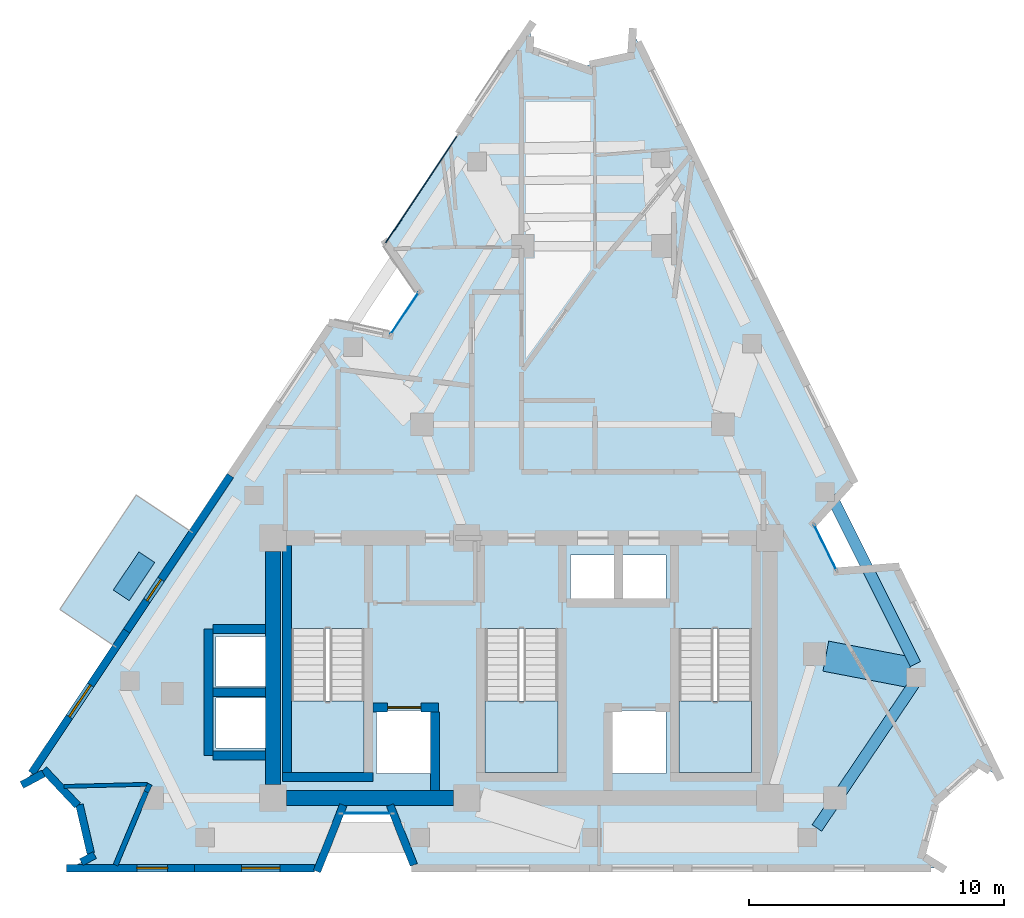
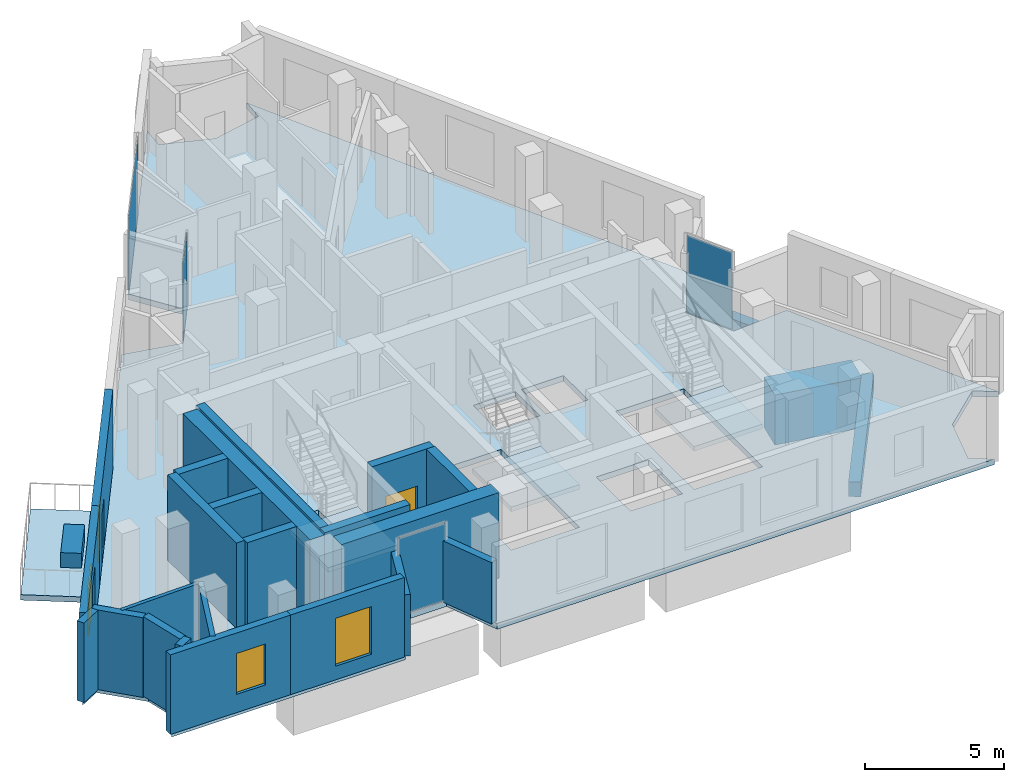
# One storey, part 4 of 10: 23 walls, 5 plates, 5 slabs, 3 beams, 3 windows, 2 doors, 5 openings, 7 elements without a shape of their own.
"""IFC4 building model written with IfcOpenShell, lengths in metres."""

from ifc_helpers import new_model, si_unit, direction, frame, frame_2d, origin, origin_2d, place, context, subcontext, project, spatial, polyline, rectangle, outline, extrude, material, layer, layer_set, material_profile, profile_set, type_object, element, fill, aggregate, save


model = new_model("IFC4")

# Units and contexts
model_context = context("Model", 3, precision=1e-05, world=origin(), true_north=direction((0.0, 1.0)))
body_context = subcontext(model_context, "Body", "Model", "MODEL_VIEW")
ifc_project = project(units=[si_unit("LENGTHUNIT", "METRE"), si_unit("AREAUNIT", "SQUARE_METRE"), si_unit("VOLUMEUNIT", "CUBIC_METRE"), si_unit("PLANEANGLEUNIT", "RADIAN"), si_unit("MASSUNIT", "GRAM", prefix="KILO")], contexts=[model_context])

# Site, building, storey
site_placement = place(None, origin())
site = spatial("IfcSite", under=ifc_project, at=site_placement, CompositionType="ELEMENT")
building_placement = place(site_placement, origin())
building = spatial("IfcBuilding", under=site, at=building_placement, Name="Almagre Mirador Tower", CompositionType="ELEMENT")
storey_placement = place(building_placement, frame((0.0, 0.0, 270.75)))
storey = spatial("IfcBuildingStorey", under=building, at=storey_placement, Name="L70", CompositionType="ELEMENT", Elevation=270.75)

# Beams
ifc_material_1 = material(Name="Precast concrete C50/60", Category="concrete")
ifc_material_profile_1 = material_profile(ifc_material_1, rectangle(XDim=0.449951171875, YDim=0.64990234375, at=origin_2d()), Name="RC450X650")
ifc_profile_set_1 = profile_set([ifc_material_profile_1], Name="Precast concrete C50/60")
beam_type_1 = type_object("IfcBeamType", Name="BM-SPN-RC450X650", PredefinedType="SPANDREL", material=ifc_profile_set_1)
beam_1_placement = place(storey_placement, frame((48.8916015625, 3.373046875, -0.574951171875), z_axis=(0.559011807763, 0.829159694378, 0.0), x_axis=(-0.829159694378, 0.559011807763, 0.0)))
element("IfcBeam", 1, at=beam_1_placement, inside=storey, type_object=beam_type_1, Name="L70 perimeter spandrel beam PC04-PC05", PredefinedType="SPANDREL", context=body_context, shape_type="SweptSolid", body=[
    extrude(rectangle(XDim=0.449951171875, YDim=0.64990234375, at=origin_2d()), origin(), (0.0, 0.0, 1.0), 6.822265625),
])
beam_2_placement = place(storey_placement, frame((52.755859375, 9.805419921875, -0.574951171875), z_axis=(-0.447226839749, 0.894420568753, 0.0), x_axis=(-0.894420568753, -0.447226839749, 0.0)))
element("IfcBeam", 2, at=beam_2_placement, inside=storey, type_object=beam_type_1, Name="L70 perimeter spandrel beam PC05-PC06", PredefinedType="SPANDREL", context=body_context, shape_type="SweptSolid", body=[
    extrude(rectangle(XDim=0.449951171875, YDim=0.64990234375, at=origin_2d()), origin(), (0.0, 0.0, 1.0), 7.37353515625),
])
ifc_material_2 = material(Name="Concrete C60/75", Category="concrete")
ifc_material_profile_2 = material_profile(ifc_material_2, rectangle(XDim=1.199951171875, YDim=2.199951171875, at=origin_2d()), Name="RC1200X2200")
ifc_profile_set_2 = profile_set([ifc_material_profile_2], Name="Concrete C60/75")
beam_type_2 = type_object("IfcBeamType", Name="BM-XFER-RC1200X2200", PredefinedType="BEAM", material=ifc_profile_set_2)
beam_3_placement = place(storey_placement, frame((52.514892578125, 9.48779296875, -1.35009765625), z_axis=(-0.982116013596, 0.188276753315, 0.0), x_axis=(-0.188276753315, -0.982116013596, 0.0)))
element("IfcBeam", 3, at=beam_3_placement, inside=storey, type_object=beam_type_2, Name="L70 radial transfer girder PC05-MC3", PredefinedType="BEAM", context=body_context, shape_type="SweptSolid", body=[
    extrude(rectangle(XDim=1.199951171875, YDim=2.199951171875, at=origin_2d()), origin(), (0.0, 0.0, 1.0), 3.33251953125),
])

# Curtain wall, plate
ifc_material_3 = material(Name="Black anodized aluminium", Category="aluminium")
ifc_layer_1 = layer(ifc_material_3, 0.169921875)
ifc_layer_set_1 = layer_set([ifc_layer_1], Name="Black anodized aluminium")
curtain_wall_type_1 = type_object("IfcCurtainWallType", Name="CW-CRS-SYS", PredefinedType="NOTDEFINED", material=ifc_layer_set_1)
curtain_wall_1_placement = place(storey_placement, origin())
curtain_wall_1 = element("IfcCurtainWall", 4, at=curtain_wall_1_placement, inside=storey, type_object=curtain_wall_type_1, Name="L70 vertical crease curtain wall 01", PredefinedType="NOTDEFINED")
ifc_material_4 = material(Name="Dark solar-control laminated hurricane glass", Category="glass")
ifc_layer_2 = layer(ifc_material_4, 0.028076171875)
ifc_layer_set_2 = layer_set([ifc_layer_2], Name="Dark solar-control laminated hurricane glass")
plate_type_1 = type_object("IfcPlateType", Name="PLT-GLZ-28", PredefinedType="CURTAIN_PANEL", material=ifc_layer_set_2)
plate_1_placement = place(storey_placement, frame((32.715576171875, 23.56591796875, 0.06005859375), z_axis=(0.0, 0.0, 1.0), x_axis=(0.555472827093, 0.83153468861, 0.0)))
plate_1 = element("IfcPlate", 5, at=plate_1_placement, type_object=plate_type_1, Name="CW-4 panel 1.1", PredefinedType="CURTAIN_PANEL", context=body_context, shape_type="SweptSolid", body=[
    extrude(rectangle(XDim=1.97021484375, YDim=0.028076171875, at=origin_2d()), origin(), (0.0, 0.0, 1.0), 3.3798828125),
])
aggregate(curtain_wall_1, [plate_1])

curtain_wall_2_placement = place(storey_placement, origin())
curtain_wall_2 = element("IfcCurtainWall", 6, at=curtain_wall_2_placement, inside=storey, type_object=curtain_wall_type_1, Name="L70 vertical crease curtain wall 03", PredefinedType="NOTDEFINED")
plate_2_placement = place(storey_placement, frame((49.219970703125, 14.3759765625, 0.06005859375), z_axis=(0.0, 0.0, 1.0), x_axis=(0.441079666023, -0.897467953869, 0.0)))
plate_2 = element("IfcPlate", 7, at=plate_2_placement, type_object=plate_type_1, Name="CW-4 panel 1.1", PredefinedType="CURTAIN_PANEL", context=body_context, shape_type="SweptSolid", body=[
    extrude(rectangle(XDim=1.97021484375, YDim=0.028076171875, at=origin_2d()), origin(), (0.0, 0.0, 1.0), 3.3798828125),
])
aggregate(curtain_wall_2, [plate_2])

curtain_wall_3_placement = place(storey_placement, origin())
curtain_wall_3 = element("IfcCurtainWall", 8, at=curtain_wall_3_placement, inside=storey, type_object=curtain_wall_type_1, Name="L70 vertical crease curtain wall 04", PredefinedType="NOTDEFINED")
plate_3_placement = place(storey_placement, frame((31.22802734375, 3.949951171875, 0.06005859375), z_axis=(0.0, 0.0, 1.0), x_axis=(-1.0, 0.0, 0.0)))
plate_3 = element("IfcPlate", 9, at=plate_3_placement, type_object=plate_type_1, Name="CW-4 panel 1.1", PredefinedType="CURTAIN_PANEL", context=body_context, shape_type="SweptSolid", body=[
    extrude(rectangle(XDim=1.969970703125, YDim=0.028076171875, at=origin_2d()), origin(), (0.0, 0.0, 1.0), 3.3798828125),
])
aggregate(curtain_wall_3, [plate_3])

ifc_material_5 = material(Name="Black anodized aluminium", Category="aluminium")
ifc_layer_3 = layer(ifc_material_5, 0.199951171875)
ifc_layer_set_3 = layer_set([ifc_layer_3], Name="Black anodized aluminium")
curtain_wall_type_2 = type_object("IfcCurtainWallType", Name="CW-RES-H-SYS", PredefinedType="NOTDEFINED", material=ifc_layer_set_3)
curtain_wall_4_placement = place(storey_placement, origin())
curtain_wall_4 = element("IfcCurtainWall", 10, at=curtain_wall_4_placement, inside=storey, type_object=curtain_wall_type_2, Name="L70 curtain wall run 02", PredefinedType="NOTDEFINED")
ifc_material_6 = material(Name="Dark solar-control laminated hurricane glass", Category="glass")
ifc_layer_4 = layer(ifc_material_6, 0.035888671875)
ifc_layer_set_4 = layer_set([ifc_layer_4], Name="Dark solar-control laminated hurricane glass")
plate_type_2 = type_object("IfcPlateType", Name="PLT-GLZ-36", PredefinedType="CURTAIN_PANEL", material=ifc_layer_set_4)
plate_4_placement = place(storey_placement, frame((33.367431640625, 28.4150390625, 0.06494140625), z_axis=(0.0, 0.0, 1.0), x_axis=(0.555260576939, 0.831676434497, 0.0)))
plate_4 = element("IfcPlate", 11, at=plate_4_placement, type_object=plate_type_2, Name="CW-3 panel 1.1", PredefinedType="CURTAIN_PANEL", context=body_context, shape_type="SweptSolid", body=[
    extrude(rectangle(XDim=5.139892578125, YDim=0.035888671875, at=origin_2d()), origin(), (0.0, 0.0, 1.0), 3.3701171875),
])
aggregate(curtain_wall_4, [plate_4])

# Plate
ifc_material_7 = material(Name="Precast concrete C50/60", Category="concrete")
ifc_layer_5 = layer(ifc_material_7, 0.64990234375)
ifc_layer_set_5 = layer_set([ifc_layer_5], Name="Precast concrete C50/60")
plate_type_3 = type_object("IfcPlateType", Name="PLT-PLANTER-1800", PredefinedType="USERDEFINED", material=ifc_layer_set_5)
plate_5_placement = place(storey_placement, frame((22.10009765625, 13.2470703125, 0.0), z_axis=(0.0, 0.0, 1.0), x_axis=(-0.555221899113, -0.831702256066, 0.0)))
element("IfcPlate", 12, at=plate_5_placement, inside=storey, type_object=plate_type_3, Name="L70 west balcony structural tree planter 1", ObjectType="PLANTER", PredefinedType="USERDEFINED", context=body_context, shape_type="SweptSolid", body=[
    extrude(rectangle(XDim=1.800048828125, YDim=0.75, at=origin_2d()), origin(), (0.0, 0.0, 1.0), 0.64990234375),
])

# Slabs
ifc_material_8 = material(Name="Concrete C45/55", Category="concrete")
ifc_layer_6 = layer(ifc_material_8, 0.239990234375)
ifc_layer_set_6 = layer_set([ifc_layer_6], Name="Concrete C45/55")
slab_type_1 = type_object("IfcSlabType", Name="SLB-BAL-240", PredefinedType="USERDEFINED", material=ifc_layer_set_6)
slab_1_placement = place(storey_placement, frame((0.0, 0.0, -0.239990234375)))
element("IfcSlab", 13, at=slab_1_placement, inside=storey, type_object=slab_type_1, Name="L70 west planted tree balcony 1", ObjectType="BALCONY", PredefinedType="USERDEFINED", context=body_context, shape_type="SweptSolid", body=[
    extrude(outline(polyline([(24.406005859375, 14.955078125), (21.407958984375, 10.462890625), (19.18701171875, 11.946044921875), (22.18505859375, 16.43701171875), (24.406005859375, 14.955078125)])), origin(), (0.0, 0.0, 1.0), 0.239990234375),
])
ifc_material_9 = material(Name="Concrete C45/55", Category="concrete")
ifc_layer_7 = layer(ifc_material_9, 0.25)
ifc_layer_set_7 = layer_set([ifc_layer_7], Name="Concrete C45/55")
slab_type_2 = type_object("IfcSlabType", Name="SLB-FLR-250", PredefinedType="FLOOR", material=ifc_layer_set_7)
slab_2_placement = place(storey_placement, frame((0.0, 0.0, -0.25)))
element("IfcSlab", 14, at=slab_2_placement, inside=storey, type_object=slab_type_2, Name="L70 structural floor slab", PredefinedType="FLOOR", context=body_context, shape_type="SweptSolid", body=[
    extrude(outline(polyline([(17.821044921875, 5.126953125), (18.654052734375, 5.572021484375), (19.990966796875, 4.14794921875), (20.43310546875, 2.24609375), (19.60009765625, 1.800048828125), (29.327880859375, 1.800048828125), (30.18310546875, 3.949951171875), (32.27294921875, 3.949951171875), (33.1279296875, 1.800048828125), (53.800048828125, 1.800048828125), (52.998046875, 2.299072265625), (53.572021484375, 4.431884765625), (55.23291015625, 5.888916015625), (56.034912109375, 5.388916015625), (51.988037109375, 13.6201171875), (49.680908203125, 13.43798828125), (48.759033203125, 15.31396484375), (50.31103515625, 17.030029296875), (41.6650390625, 34.611083984375), (41.60302734375, 33.66796875), (39.572998046875, 33.23095703125), (37.616943359375, 33.929931640625), (37.678955078125, 34.873046875), (31.98193359375, 26.340087890625), (33.2958984375, 24.43505859375), (32.135009765625, 22.697021484375), (29.8720703125, 23.178955078125), (17.821044921875, 5.126953125)]), holes=[polyline([(43.47509765625, 5.550048828125), (43.47509765625, 11.196044921875), (46.324951171875, 11.196044921875), (46.324951171875, 5.550048828125), (43.47509765625, 5.550048828125)]), polyline([(41.219970703125, 12.320068359375), (41.219970703125, 14.080078125), (42.97998046875, 14.080078125), (42.97998046875, 12.320068359375), (41.219970703125, 12.320068359375)]), polyline([(42.97998046875, 5.52001953125), (40.820068359375, 5.52001953125), (40.820068359375, 7.97998046875), (42.97998046875, 7.97998046875), (42.97998046875, 5.52001953125)]), polyline([(39.219970703125, 12.320068359375), (39.219970703125, 14.080078125), (40.97998046875, 14.080078125), (40.97998046875, 12.320068359375), (39.219970703125, 12.320068359375)]), polyline([(35.875, 5.550048828125), (35.875, 11.196044921875), (38.72509765625, 11.196044921875), (38.72509765625, 5.550048828125), (35.875, 5.550048828125)]), polyline([(33.780029296875, 5.52001953125), (31.6201171875, 5.52001953125), (31.6201171875, 7.97998046875), (33.780029296875, 7.97998046875), (33.780029296875, 5.52001953125)]), polyline([(28.27490234375, 5.550048828125), (28.27490234375, 11.196044921875), (31.125, 11.196044921875), (31.125, 5.550048828125), (28.27490234375, 5.550048828125)]), polyline([(27.3798828125, 6.52001953125), (25.320068359375, 6.52001953125), (25.320068359375, 8.47998046875), (27.3798828125, 8.47998046875), (27.3798828125, 6.52001953125)]), polyline([(27.3798828125, 8.919921875), (25.320068359375, 8.919921875), (25.320068359375, 10.8798828125), (27.3798828125, 10.8798828125), (27.3798828125, 8.919921875)])]), origin(), (0.0, 0.0, 1.0), 0.25),
])

# Stair, slab
ifc_material_10 = material(Name="Concrete C45/55", Category="concrete")
stair_type = type_object("IfcStairType", Name="STR-DL-3750", PredefinedType="HALF_TURN_STAIR", material=ifc_material_10)
stair_1_placement = place(storey_placement, origin())
stair_1 = element("IfcStair", 15, at=stair_1_placement, inside=storey, type_object=stair_type, Name="L70 Protected exit stair ST-1", PredefinedType="HALF_TURN_STAIR")
ifc_material_11 = material(Name="Concrete C45/55", Category="concrete")
ifc_layer_8 = layer(ifc_material_11, 0.199951171875)
ifc_layer_set_8 = layer_set([ifc_layer_8], Name="Concrete C45/55")
slab_type_3 = type_object("IfcSlabType", Name="SLB-LND-200", PredefinedType="LANDING", material=ifc_layer_set_8)
slab_3_placement = place(storey_placement, frame((0.0, 0.0, 1.675048828125)))
slab_3 = element("IfcSlab", 16, at=slab_3_placement, type_object=slab_type_3, Name="ST-1 landing 1", PredefinedType="LANDING", context=body_context, shape_type="SweptSolid", body=[
    extrude(outline(polyline([(28.27490234375, 8.35009765625), (28.27490234375, 5.550048828125), (31.125, 5.550048828125), (31.125, 8.35009765625), (28.27490234375, 8.35009765625)])), origin(), (0.0, 0.0, 1.0), 0.199951171875),
])
aggregate(stair_1, [slab_3])

stair_2_placement = place(storey_placement, origin())
stair_2 = element("IfcStair", 17, at=stair_2_placement, inside=storey, type_object=stair_type, Name="L70 Protected exit stair ST-2", PredefinedType="HALF_TURN_STAIR")
slab_4_placement = place(storey_placement, frame((0.0, 0.0, 1.675048828125)))
slab_4 = element("IfcSlab", 18, at=slab_4_placement, type_object=slab_type_3, Name="ST-2 landing 1", PredefinedType="LANDING", context=body_context, shape_type="SweptSolid", body=[
    extrude(outline(polyline([(35.875, 8.35009765625), (35.875, 5.550048828125), (38.72509765625, 5.550048828125), (38.72509765625, 8.35009765625), (35.875, 8.35009765625)])), origin(), (0.0, 0.0, 1.0), 0.199951171875),
])
aggregate(stair_2, [slab_4])

stair_3_placement = place(storey_placement, origin())
stair_3 = element("IfcStair", 19, at=stair_3_placement, inside=storey, type_object=stair_type, Name="L70 Protected exit stair ST-3", PredefinedType="HALF_TURN_STAIR")
slab_5_placement = place(storey_placement, frame((0.0, 0.0, 1.675048828125)))
slab_5 = element("IfcSlab", 20, at=slab_5_placement, type_object=slab_type_3, Name="ST-3 landing 1", PredefinedType="LANDING", context=body_context, shape_type="SweptSolid", body=[
    extrude(outline(polyline([(43.47509765625, 8.35009765625), (43.47509765625, 5.550048828125), (46.324951171875, 5.550048828125), (46.324951171875, 8.35009765625), (43.47509765625, 8.35009765625)])), origin(), (0.0, 0.0, 1.0), 0.199951171875),
])
aggregate(stair_3, [slab_5])

# Walls
ifc_material_12 = material(Name="Precast concrete C50/60", Category="concrete")
ifc_layer_9 = layer(ifc_material_12, 0.300048828125)
ifc_layer_set_9 = layer_set([ifc_layer_9], Name="Precast concrete C50/60")
wall_type_1 = type_object("IfcWallType", Name="WAL-EXT-300", PredefinedType="SOLIDWALL", material=ifc_layer_set_9)
wall_1_placement = place(storey_placement, frame((33.078125, 1.92529296875, 0.0), z_axis=(0.0, 0.0, 1.0), x_axis=(-0.369540985735, 0.929214431583, 0.0)))
element("IfcWall", 21, at=wall_1_placement, inside=storey, type_object=wall_type_1, Name="L70 expressed almagre precast frame wall 22", PredefinedType="SOLIDWALL", context=body_context, shape_type="SweptSolid", body=[
    extrude(rectangle(XDim=2.527099609375, YDim=0.300048828125, at=frame_2d((1.263671875, 0.0))), origin(), (0.0, 0.0, 1.0), 2.696044921875),
])
wall_2_placement = place(storey_placement, frame((30.3115234375, 4.2734375, 0.0), z_axis=(0.0, 0.0, 1.0), x_axis=(-0.369466825356, -0.929243921132, 0.0)))
element("IfcWall", 22, at=wall_2_placement, inside=storey, type_object=wall_type_1, Name="L70 expressed almagre precast frame wall 23", PredefinedType="SOLIDWALL", context=body_context, shape_type="SweptSolid", body=[
    extrude(rectangle(XDim=2.8017578125, YDim=0.300048828125, at=frame_2d((1.40087890625, 0.0))), origin(), (0.0, 0.0, 1.0), 2.696044921875),
])

# Wall, opening, window
wall_3_placement = place(storey_placement, frame((29.18798828125, 1.800048828125, 0.0), z_axis=(0.0, 0.0, 1.0), x_axis=(-1.0, 0.0, 0.0)))
wall_3 = element("IfcWall", 23, at=wall_3_placement, inside=storey, type_object=wall_type_1, Name="L70 expressed almagre precast frame wall 24", PredefinedType="SOLIDWALL", context=body_context, shape_type="SweptSolid", body=[
    extrude(rectangle(XDim=4.723876953125, YDim=0.300048828125, at=frame_2d((2.36181640625, 0.0))), origin(), (0.0, 0.0, 1.0), 3.5),
])
opening_1_placement = place(wall_3_placement, frame((1.3701171875, 0.0, 0.60009765625)))
opening_1 = element("IfcOpeningElement", 24, at=opening_1_placement, cuts=wall_3, Name="Opening WN-03", PredefinedType="OPENING", context=body_context, shape_type="SweptSolid", body=[
    extrude(rectangle(XDim=1.5, YDim=2.10009765625, at=frame_2d((0.75, 1.050048828125))), frame((0.0, 0.159902, 0.0), z_axis=(0.0, -1.0, 0.0), x_axis=(1.0, 0.0, 0.0)), (0.0, 0.0, 1.0), 0.320049),
])
ifc_material_13 = material(Name="Dark solar-control laminated hurricane glass", Category="glass")
window_type_1 = type_object("IfcWindowType", Name="WIN-1500X2100", PartitioningType="DOUBLE_PANEL_VERTICAL", PredefinedType="WINDOW", material=ifc_material_13)
window_1_placement = place(opening_1_placement, origin())
window_1 = element("IfcWindow", 25, at=window_1_placement, inside=storey, type_object=window_type_1, Name="L70 recessed hurricane window L70-UA-ST", OverallHeight=2.10009765625, OverallWidth=1.5, PartitioningType="SINGLE_PANEL", PredefinedType="WINDOW", context=body_context, shape_type="SweptSolid", body=[
    extrude(rectangle(XDim=1.5, YDim=2.10009765625, at=frame_2d((0.75, 1.050048828125))), frame((0.0, 0.030029296875, 0.0), z_axis=(0.0, -1.0, 0.0), x_axis=(1.0, 0.0, 0.0)), (0.0, 0.0, 1.0), 0.06005859375),
])
fill(opening_1, window_1)

wall_4_placement = place(storey_placement, frame((24.464111328125, 1.800048828125, 0.0), z_axis=(0.0, 0.0, 1.0), x_axis=(-1.0, 0.0, 0.0)))
wall_4 = element("IfcWall", 26, at=wall_4_placement, inside=storey, type_object=wall_type_1, Name="L70 expressed almagre precast frame wall 25", PredefinedType="SOLIDWALL", context=body_context, shape_type="SweptSolid", body=[
    extrude(rectangle(XDim=5.004150390625, YDim=0.300048828125, at=frame_2d((2.501953125, 0.0))), origin(), (0.0, 0.0, 1.0), 3.5),
])
opening_2_placement = place(wall_4_placement, frame((1.050048828125, 0.0, 0.800048828125)))
opening_2 = element("IfcOpeningElement", 27, at=opening_2_placement, cuts=wall_4, Name="Opening WN-04", PredefinedType="OPENING", context=body_context, shape_type="SweptSolid", body=[
    extrude(rectangle(XDim=1.199951171875, YDim=1.800048828125, at=frame_2d((0.60009765625, 0.89990234375))), frame((0.0, 0.159902, 0.0), z_axis=(0.0, -1.0, 0.0), x_axis=(1.0, 0.0, 0.0)), (0.0, 0.0, 1.0), 0.320049),
])
ifc_material_14 = material(Name="Dark solar-control laminated hurricane glass", Category="glass")
window_type_2 = type_object("IfcWindowType", Name="WIN-1200X1800", PartitioningType="SINGLE_PANEL", PredefinedType="WINDOW", material=ifc_material_14)
window_2_placement = place(opening_2_placement, origin())
window_2 = element("IfcWindow", 28, at=window_2_placement, inside=storey, type_object=window_type_2, Name="L70 recessed hurricane window L70-UA-KT", OverallHeight=1.800048828125, OverallWidth=1.199951171875, PartitioningType="SINGLE_PANEL", PredefinedType="WINDOW", context=body_context, shape_type="SweptSolid", body=[
    extrude(rectangle(XDim=1.199951171875, YDim=1.800048828125, at=frame_2d((0.60009765625, 0.89990234375))), frame((0.0, 0.030029296875, 0.0), z_axis=(0.0, -1.0, 0.0), x_axis=(1.0, 0.0, 0.0)), (0.0, 0.0, 1.0), 0.06005859375),
])
fill(opening_2, window_2)

# Walls
wall_5_placement = place(storey_placement, frame((20.031982421875, 2.03125, 0.0), z_axis=(0.0, 0.0, 1.0), x_axis=(0.881601971089, 0.471993606495, 0.0)))
element("IfcWall", 29, at=wall_5_placement, inside=storey, type_object=wall_type_1, Name="L70 expressed almagre precast frame wall 26", PredefinedType="SOLIDWALL", context=body_context, shape_type="SweptSolid", body=[
    extrude(rectangle(XDim=0.5947265625, YDim=0.300048828125, at=frame_2d((0.29736328125, 0.0))), origin(), (0.0, 0.0, 1.0), 3.5),
])
wall_6_placement = place(storey_placement, frame((20.403564453125, 2.37255859375, 0.0), z_axis=(0.0, 0.0, 1.0), x_axis=(-0.226376282289, 0.974039926706, 0.0)))
element("IfcWall", 30, at=wall_6_placement, inside=storey, type_object=wall_type_1, Name="L70 expressed almagre precast frame wall 27", PredefinedType="SOLIDWALL", context=body_context, shape_type="SweptSolid", body=[
    extrude(rectangle(XDim=1.962890625, YDim=0.300048828125, at=frame_2d((0.9814453125, 0.0))), origin(), (0.0, 0.0, 1.0), 3.5),
])
wall_7_placement = place(storey_placement, frame((19.88818359375, 4.25732421875, 0.0), z_axis=(0.0, 0.0, 1.0), x_axis=(-0.684454988333, 0.72905512065, 0.0)))
element("IfcWall", 31, at=wall_7_placement, inside=storey, type_object=wall_type_1, Name="L70 expressed almagre precast frame wall 28", PredefinedType="SOLIDWALL", context=body_context, shape_type="SweptSolid", body=[
    extrude(rectangle(XDim=1.943359375, YDim=0.300048828125, at=frame_2d((0.9716796875, 0.0))), origin(), (0.0, 0.0, 1.0), 3.5),
])
wall_8_placement = place(storey_placement, frame((18.543701171875, 5.51318359375, 0.0), z_axis=(0.0, 0.0, 1.0), x_axis=(-0.881986380724, -0.471274892412, 0.0)))
element("IfcWall", 32, at=wall_8_placement, inside=storey, type_object=wall_type_1, Name="L70 expressed almagre precast frame wall 29", PredefinedType="SOLIDWALL", context=body_context, shape_type="SweptSolid", body=[
    extrude(rectangle(XDim=0.95947265625, YDim=0.300048828125, at=frame_2d((0.479736328125, 0.0))), origin(), (0.0, 0.0, 1.0), 3.5),
])

# Wall, opening, window
wall_9_placement = place(storey_placement, frame((18.08740234375, 5.5263671875, 0.0), z_axis=(0.0, 0.0, 1.0), x_axis=(0.555237602255, 0.831691772859, 0.0)))
wall_9 = element("IfcWall", 33, at=wall_9_placement, inside=storey, type_object=wall_type_1, Name="L70 expressed almagre precast frame wall 30", PredefinedType="SOLIDWALL", context=body_context, shape_type="SweptSolid", body=[
    extrude(rectangle(XDim=6.708251953125, YDim=0.300048828125, at=frame_2d((3.35400390625, 0.0))), origin(), (0.0, 0.0, 1.0), 3.5),
])
opening_3_placement = place(wall_9_placement, frame((2.655029296875, 0.0, 0.60009765625)))
opening_3 = element("IfcOpeningElement", 34, at=opening_3_placement, cuts=wall_9, Name="Opening WN-03", PredefinedType="OPENING", context=body_context, shape_type="SweptSolid", body=[
    extrude(rectangle(XDim=1.5, YDim=2.10009765625, at=frame_2d((0.75, 1.050048828125))), frame((0.0, 0.159902, 0.0), z_axis=(0.0, -1.0, 0.0), x_axis=(1.0, 0.0, 0.0)), (0.0, 0.0, 1.0), 0.320049),
])
window_3_placement = place(opening_3_placement, origin())
window_3 = element("IfcWindow", 35, at=window_3_placement, inside=storey, type_object=window_type_1, Name="L70 recessed hurricane window L70-UD-ST", OverallHeight=2.10009765625, OverallWidth=1.5, PartitioningType="SINGLE_PANEL", PredefinedType="WINDOW", context=body_context, shape_type="SweptSolid", body=[
    extrude(rectangle(XDim=1.5, YDim=2.10009765625, at=frame_2d((0.75, 1.050048828125))), frame((0.0, 0.030029296875, 0.0), z_axis=(0.0, -1.0, 0.0), x_axis=(1.0, 0.0, 0.0)), (0.0, 0.0, 1.0), 0.06005859375),
])
fill(opening_3, window_3)

# Wall, opening, door
wall_10_placement = place(storey_placement, frame((21.81201171875, 11.10546875, 0.0), z_axis=(0.0, 0.0, 1.0), x_axis=(0.555222871335, 0.831701607036, 0.0)))
wall_10 = element("IfcWall", 36, at=wall_10_placement, inside=storey, type_object=wall_type_1, Name="L70 expressed almagre precast frame wall 31", PredefinedType="SOLIDWALL", context=body_context, shape_type="SweptSolid", body=[
    extrude(rectangle(XDim=7.328369140625, YDim=0.300048828125, at=frame_2d((3.6640625, 0.0))), origin(), (0.0, 0.0, 1.0), 3.5),
])
opening_4_placement = place(wall_10_placement, frame((1.427978515625, 0.0, 0.0)))
opening_4 = element("IfcOpeningElement", 37, at=opening_4_placement, cuts=wall_10, Name="Opening BD-01", PredefinedType="OPENING", context=body_context, shape_type="SweptSolid", body=[
    extrude(rectangle(XDim=1.0, YDim=2.199951171875, at=frame_2d((0.5, 1.10009765625))), frame((0.0, 0.159902, 0.0), z_axis=(0.0, -1.0, 0.0), x_axis=(1.0, 0.0, 0.0)), (0.0, 0.0, 1.0), 0.320049),
])
ifc_material_15 = material(Name="Black anodized aluminium and laminated glass", Category="aluminium")
door_type_1 = type_object("IfcDoorType", Name="DOR-BAL-1000X2200", OperationType="NOTDEFINED", PredefinedType="DOOR", material=ifc_material_15)
door_1_placement = place(opening_4_placement, origin())
door_1 = element("IfcDoor", 38, at=door_1_placement, inside=storey, type_object=door_type_1, Name="DR-2116 L70 west balcony glazed door 1", OperationType="SINGLE_SWING_LEFT", OverallHeight=2.199951171875, OverallWidth=1.0, PredefinedType="DOOR", context=body_context, shape_type="SweptSolid", body=[
    extrude(rectangle(XDim=1.0, YDim=2.199951171875, at=frame_2d((0.5, 1.10009765625))), frame((0.0, 0.02490234375, 0.0), z_axis=(0.0, -1.0, 0.0), x_axis=(1.0, 0.0, 0.0)), (0.0, 0.0, 1.0), 0.050048828125),
])
fill(opening_4, door_1)

# Walls
ifc_material_16 = material(Name="Gypsum acoustic stud partition", Category="other")
ifc_layer_10 = layer(ifc_material_16, 0.14990234375)
ifc_layer_set_10 = layer_set([ifc_layer_10], Name="Gypsum acoustic stud partition")
wall_type_2 = type_object("IfcWallType", Name="WAL-PRT-150-STD", PredefinedType="PARTITIONING", material=ifc_layer_set_10)
wall_11_placement = place(storey_placement, frame((19.34912109375, 5.00390625, 0.0), z_axis=(0.0, 0.0, 1.0), x_axis=(0.999667809718, 0.025773440075, 0.0)))
element("IfcWall", 39, at=wall_11_placement, inside=storey, type_object=wall_type_2, Name="L70 interior partition 027", PredefinedType="PARTITIONING", context=body_context, shape_type="SweptSolid", body=[
    extrude(rectangle(XDim=3.286865234375, YDim=0.14990234375, at=frame_2d((1.6435546875, 0.0))), origin(), (0.0, 0.0, 1.0), 3.5),
])
ifc_material_17 = material(Name="Gypsum acoustic stud partition", Category="other")
ifc_layer_11 = layer(ifc_material_17, 0.199951171875)
ifc_layer_set_11 = layer_set([ifc_layer_11], Name="Gypsum acoustic stud partition")
wall_type_3 = type_object("IfcWallType", Name="WAL-PRT-200-EI60", PredefinedType="PARTITIONING", material=ifc_layer_set_11)
wall_12_placement = place(storey_placement, frame((22.580078125, 4.7900390625, 0.0), z_axis=(0.0, 0.0, 1.0), x_axis=(-0.386373900267, -0.922342240816, 0.0)))
element("IfcWall", 40, at=wall_12_placement, inside=storey, type_object=wall_type_3, Name="L70 interior partition 019", PredefinedType="PARTITIONING", context=body_context, shape_type="SweptSolid", body=[
    extrude(rectangle(XDim=3.11376953125, YDim=0.199951171875, at=frame_2d((1.556884765625, 0.0))), origin(), (0.0, 0.0, 1.0), 3.5),
])
wall_13_placement = place(storey_placement, frame((22.719970703125, 5.090087890625, 0.0), z_axis=(0.0, 0.0, 1.0), x_axis=(-0.422562464906, -0.906333803437, 0.0)))
element("IfcWall", 41, at=wall_13_placement, inside=storey, type_object=wall_type_3, Name="L70 interior partition 021", PredefinedType="PARTITIONING", context=body_context, shape_type="SweptSolid", body=[
    extrude(rectangle(XDim=0.3310546875, YDim=0.199951171875, at=frame_2d((0.16552734375, 0.0))), origin(), (0.0, 0.0, 1.0), 3.5),
])
ifc_material_18 = material(Name="Concrete C60/75", Category="concrete")
ifc_layer_12 = layer(ifc_material_18, 0.35009765625)
ifc_layer_set_12 = layer_set([ifc_layer_12], Name="Concrete C60/75")
wall_type_4 = type_object("IfcWallType", Name="WAL-SHF-350", PredefinedType="SOLIDWALL", material=ifc_layer_set_12)
wall_14_placement = place(storey_placement, frame((28.10009765625, 5.199951171875, 0.0), z_axis=(0.0, 0.0, 1.0), x_axis=(0.0, 1.0, 0.0)))
element("IfcWall", 42, at=wall_14_placement, inside=storey, type_object=wall_type_4, Name="L70 shaft wall ST1-W", PredefinedType="SOLIDWALL", context=body_context, shape_type="SweptSolid", body=[
    extrude(rectangle(XDim=9.25, YDim=0.35009765625, at=frame_2d((4.625, 0.0))), origin(), (0.0, 0.0, 1.0), 3.75),
])
wall_15_placement = place(storey_placement, frame((27.925048828125, 5.375, 0.0), z_axis=(0.0, 0.0, 1.0), x_axis=(1.0, 0.0, 0.0)))
element("IfcWall", 43, at=wall_15_placement, inside=storey, type_object=wall_type_4, Name="L70 shaft wall ST1-S", PredefinedType="SOLIDWALL", context=body_context, shape_type="SweptSolid", body=[
    extrude(rectangle(XDim=3.550048828125, YDim=0.35009765625, at=frame_2d((1.77490234375, 0.0))), origin(), (0.0, 0.0, 1.0), 3.75),
])

# Wall, opening, door
wall_16_placement = place(storey_placement, frame((31.47509765625, 8.10009765625, 0.0), z_axis=(0.0, 0.0, 1.0), x_axis=(1.0, 0.0, 0.0)))
wall_16 = element("IfcWall", 44, at=wall_16_placement, inside=storey, type_object=wall_type_4, Name="L70 shaft wall FSAE1-N", PredefinedType="SOLIDWALL", context=body_context, shape_type="SweptSolid", body=[
    extrude(rectangle(XDim=2.574951171875, YDim=0.35009765625, at=frame_2d((1.28759765625, 0.0))), origin(), (0.0, 0.0, 1.0), 3.75),
])
opening_5_placement = place(wall_16_placement, frame((0.574951171875, 0.0, 0.0)))
opening_5 = element("IfcOpeningElement", 45, at=opening_5_placement, cuts=wall_16, Name="Opening LD-03", PredefinedType="OPENING", context=body_context, shape_type="SweptSolid", body=[
    extrude(rectangle(XDim=1.300048828125, YDim=2.25, at=frame_2d((0.64990234375, 1.125))), frame((0.0, 0.185049, 0.0), z_axis=(0.0, -1.0, 0.0), x_axis=(1.0, 0.0, 0.0)), (0.0, 0.0, 1.0), 0.370098),
])
ifc_material_19 = material(Name="Hollow stainless steel", Category="steel")
door_type_2 = type_object("IfcDoorType", Name="DOR-LD-1300X2250", OperationType="DOUBLE_DOOR_SLIDING", PredefinedType="DOOR", material=ifc_material_19)
door_2_placement = place(opening_5_placement, origin())
door_2 = element("IfcDoor", 46, at=door_2_placement, inside=storey, type_object=door_type_2, Name="DR-2137 L70 FSAE-1 lift landing door", OperationType="DOUBLE_DOOR_SLIDING", OverallHeight=2.25, OverallWidth=1.300048828125, PredefinedType="DOOR", context=body_context, shape_type="SweptSolid", body=[
    extrude(rectangle(XDim=1.300048828125, YDim=2.25, at=frame_2d((0.64990234375, 1.125))), frame((0.0, 0.02490234375, 0.0), z_axis=(0.0, -1.0, 0.0), x_axis=(1.0, 0.0, 0.0)), (0.0, 0.0, 1.0), 0.050048828125),
])
fill(opening_5, door_2)

# Walls
wall_17_placement = place(storey_placement, frame((33.89990234375, 4.85009765625, 0.0), z_axis=(0.0, 0.0, 1.0), x_axis=(0.0, 1.0, 0.0)))
element("IfcWall", 47, at=wall_17_placement, inside=storey, type_object=wall_type_4, Name="L70 shaft wall FSAE1-E", PredefinedType="SOLIDWALL", context=body_context, shape_type="SweptSolid", body=[
    extrude(rectangle(XDim=3.074951171875, YDim=0.35009765625, at=frame_2d((1.53759765625, 0.0))), origin(), (0.0, 0.0, 1.0), 3.75),
])
wall_18_placement = place(storey_placement, frame((25.02490234375, 6.22509765625, 0.0), z_axis=(0.0, 0.0, 1.0), x_axis=(0.0, 1.0, 0.0)))
element("IfcWall", 48, at=wall_18_placement, inside=storey, type_object=wall_type_4, Name="L70 shaft wall OL-W", PredefinedType="SOLIDWALL", context=body_context, shape_type="SweptSolid", body=[
    extrude(rectangle(XDim=4.949951171875, YDim=0.35009765625, at=frame_2d((2.47509765625, 0.0))), origin(), (0.0, 0.0, 1.0), 3.75),
])
for number, where, z_axis, x_axis, name in (
    (49, (25.199951171875, 6.22509765625, 0.0), (0.0, 0.0, 1.0), (1.0, 0.0, 0.0), "L70 shaft wall OL-S"),
    (50, (25.199951171875, 8.699951171875, 0.0), (0.0, 0.0, 1.0), (1.0, 0.0, 0.0), "L70 shaft wall OL-M"),
    (51, (25.199951171875, 11.175048828125, 0.0), (0.0, 0.0, 1.0), (1.0, 0.0, 0.0), "L70 shaft wall OL-N"),
):
    element("IfcWall", number, at=place(storey_placement, frame(where, z_axis=z_axis, x_axis=x_axis)), inside=storey, type_object=wall_type_4, Name=name, PredefinedType="SOLIDWALL", context=body_context, shape_type="SweptSolid", body=[
        extrude(rectangle(XDim=2.050048828125, YDim=0.35009765625, at=frame_2d((1.02490234375, 0.0))), origin(), (0.0, 0.0, 1.0), 3.75),
    ])
ifc_material_20 = material(Name="Concrete C60/75", Category="concrete")
ifc_layer_13 = layer(ifc_material_20, 0.60009765625)
ifc_layer_set_13 = layer_set([ifc_layer_13], Name="Concrete C60/75")
wall_type_5 = type_object("IfcWallType", Name="WAL-SHR-600", PredefinedType="SHEAR", material=ifc_layer_set_13)
wall_19_placement = place(storey_placement, frame((28.074951171875, 4.550048828125, 0.0), z_axis=(0.0, 0.0, 1.0), x_axis=(1.0, 0.0, 0.0)))
element("IfcWall", 52, at=wall_19_placement, inside=storey, type_object=wall_type_5, Name="L70 core shear wall S1", PredefinedType="SHEAR", context=body_context, shape_type="SweptSolid", body=[
    extrude(rectangle(XDim=6.550048828125, YDim=0.60009765625, at=frame_2d((3.27490234375, 0.0))), origin(), (0.0, 0.0, 1.0), 3.75),
])
wall_20_placement = place(storey_placement, frame((27.550048828125, 5.074951171875, 0.0), z_axis=(0.0, 0.0, 1.0), x_axis=(0.0, 1.0, 0.0)))
element("IfcWall", 53, at=wall_20_placement, inside=storey, type_object=wall_type_5, Name="L70 core shear wall W1", PredefinedType="SHEAR", context=body_context, shape_type="SweptSolid", body=[
    extrude(rectangle(XDim=9.150146484375, YDim=0.60009765625, at=frame_2d((4.5751953125, 0.0))), origin(), (0.0, 0.0, 1.0), 3.75),
])

save(model, "model.ifc")
